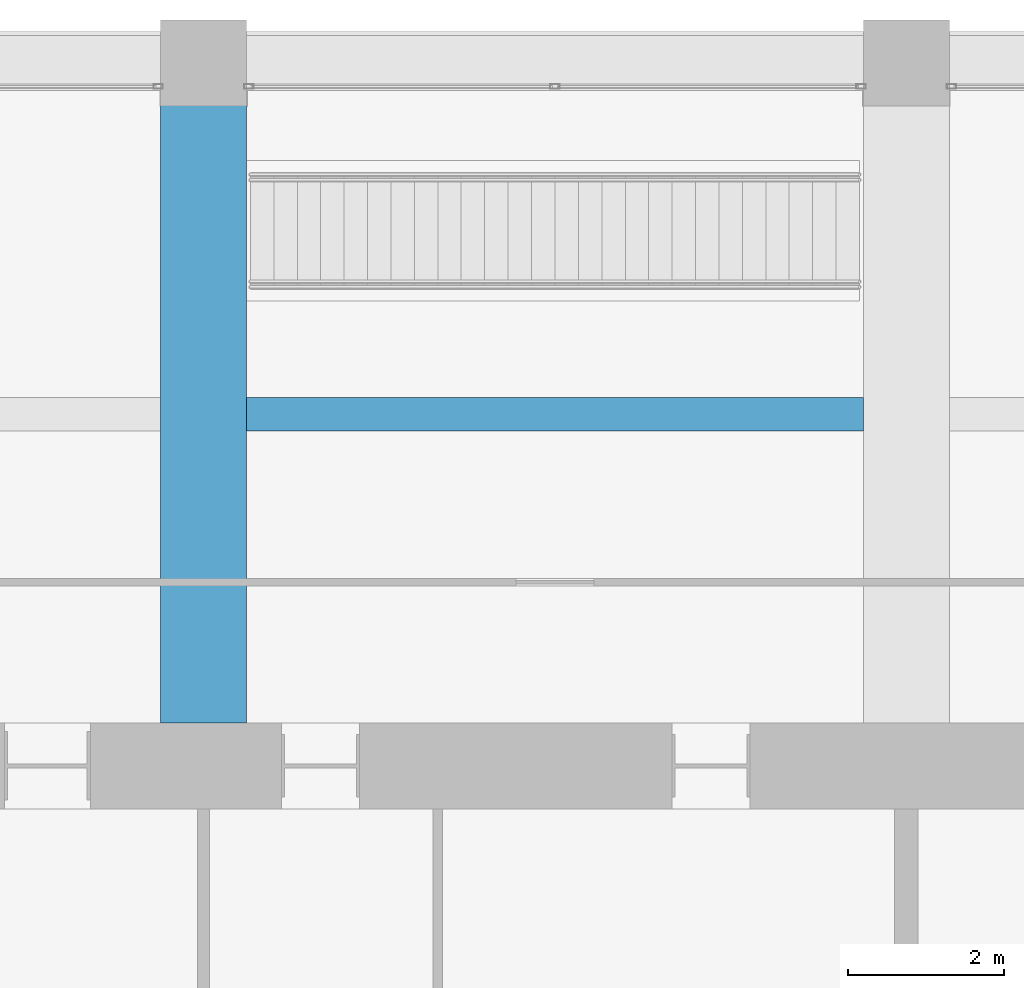
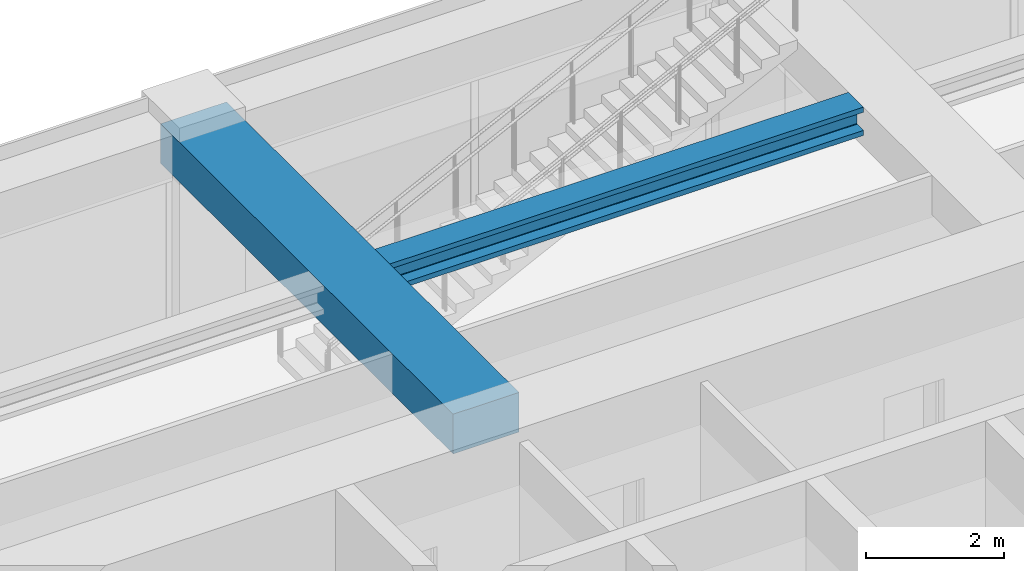
# One storey, part 32 of 45: 2 beams.
"""IFC4 building model written with IfcOpenShell, lengths in metres."""

from ifc_helpers import new_model, si_unit, direction, frame, origin, origin_2d, place, context, subcontext, project, spatial, rectangle, i_section, extrude, material, material_profile, profile_set, type_object, element, save


model = new_model("IFC4")

# Units and contexts
model_context = context("Model", 3, precision=1e-05, world=origin(), true_north=direction((0.0, 1.0)))
body_context = subcontext(model_context, "Body", "Model", "MODEL_VIEW")
ifc_project = project(units=[si_unit("LENGTHUNIT", "METRE"), si_unit("AREAUNIT", "SQUARE_METRE"), si_unit("VOLUMEUNIT", "CUBIC_METRE"), si_unit("PLANEANGLEUNIT", "RADIAN"), si_unit("MASSUNIT", "GRAM", prefix="KILO")], contexts=[model_context])

# Site, building, storey
site_placement = place(None, origin())
site = spatial("IfcSite", under=ifc_project, at=site_placement, CompositionType="ELEMENT")
building_placement = place(site_placement, origin())
building = spatial("IfcBuilding", under=site, at=building_placement, Name="Zorevar Civic Tower", CompositionType="ELEMENT")
storey_placement = place(building_placement, frame((0.0, 0.0, 291.39990234375)))
storey = spatial("IfcBuildingStorey", under=building, at=storey_placement, Name="L71", CompositionType="ELEMENT", Elevation=291.39990234375)

# Beams
ifc_material_1 = material(Name="Concrete C50/60", Category="concrete")
ifc_material_profile_1 = material_profile(ifc_material_1, rectangle(XDim=1.10009765625, YDim=0.699951171875, at=origin_2d()), Name="RC 1100x700")
ifc_profile_set_1 = profile_set([ifc_material_profile_1], Name="Concrete C50/60")
beam_type_1 = type_object("IfcBeamType", Name="Beam RC 1100x700", PredefinedType="BEAM", material=ifc_profile_set_1)
beam_1_placement = place(storey_placement, frame((27.0, 36.550048828125, 3.400146484375), z_axis=(0.0, 1.0, 0.0), x_axis=(-1.0, 0.0, 0.0)))
element("IfcBeam", 1, at=beam_1_placement, inside=storey, type_object=beam_type_1, Name="Girder L72", PredefinedType="BEAM", context=body_context, shape_type="SweptSolid", body=[
    extrude(rectangle(XDim=1.10009765625, YDim=0.699951171875, at=origin_2d()), origin(), (0.0, 0.0, 1.0), 8.449951171875),
])
ifc_material_2 = material(Name="Steel S460M (HISTAR 460)", Category="steel")
ifc_material_profile_2 = material_profile(ifc_material_2, i_section(OverallWidth=0.431884765625, OverallDepth=0.498046875, WebThickness=0.0556640625, FlangeThickness=0.0888671875, FilletRadius=0.014892578125, at=origin_2d()), Name="HD 400x744")
ifc_profile_set_2 = profile_set([ifc_material_profile_2], Name="Steel S460M (HISTAR 460)")
beam_type_2 = type_object("IfcBeamType", Name="Core bay beam HD 400x744", PredefinedType="BEAM", material=ifc_profile_set_2)
beam_2_placement = place(storey_placement, frame((27.550048828125, 40.5, 3.5009765625), z_axis=(1.0, 0.0, 0.0), x_axis=(0.0, 1.0, 0.0)))
element("IfcBeam", 2, at=beam_2_placement, inside=storey, type_object=beam_type_2, Name="Secondary beam L72", PredefinedType="BEAM", context=body_context, shape_type="SweptSolid", body=[
    extrude(i_section(OverallWidth=0.431884765625, OverallDepth=0.498046875, WebThickness=0.0556640625, FlangeThickness=0.0888671875, FilletRadius=0.014892578125, at=origin_2d()), origin(), (0.0, 0.0, 1.0), 7.89990234375),
])

save(model, "model.ifc")
